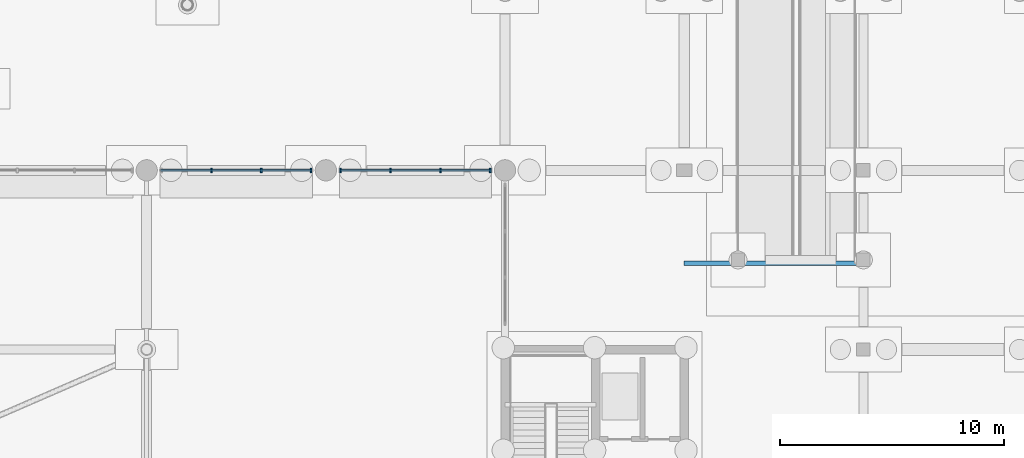
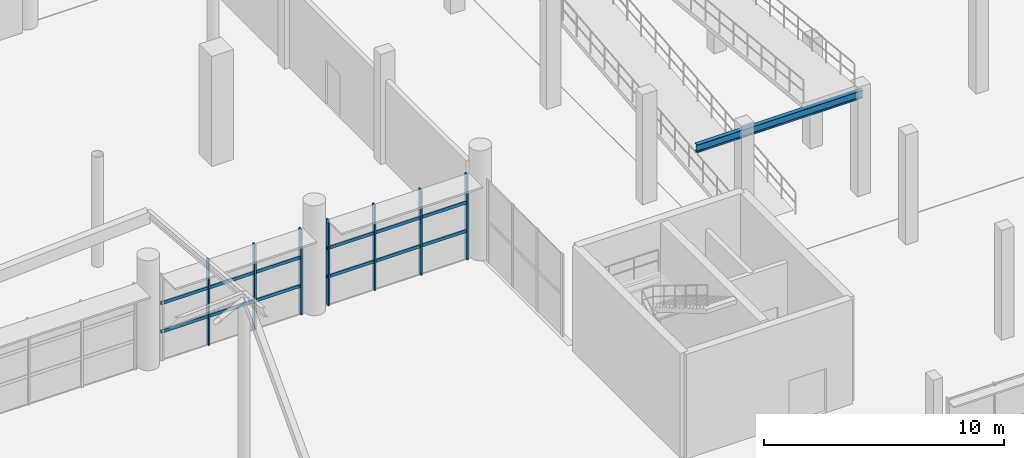
# One storey, part 48 of 98: 11 members, 1 beam, 2 elements without a shape of their own.
"""IFC4 building model written with IfcOpenShell, lengths in metres."""

from ifc_helpers import new_model, si_unit, derived_unit, direction, frame, origin, origin_2d, place, context, subcontext, project, spatial, rectangle, i_section, extrude, material, layer, layer_set, material_profile, profile_set, type_object, element, aggregate, save


model = new_model("IFC4")

# Units and contexts
model_context = context("Model", 3, precision=1e-05, world=origin(), true_north=direction((0.0, 1.0)))
body_context = subcontext(model_context, "Body", "Model", "MODEL_VIEW")
ifc_project = project(units=[si_unit("LENGTHUNIT", "METRE"), si_unit("AREAUNIT", "SQUARE_METRE"), si_unit("VOLUMEUNIT", "CUBIC_METRE"), si_unit("PLANEANGLEUNIT", "RADIAN"), si_unit("MASSUNIT", "GRAM", prefix="KILO"), si_unit("THERMODYNAMICTEMPERATUREUNIT", "KELVIN"), derived_unit("THERMALTRANSMITTANCEUNIT", [(si_unit("POWERUNIT", "WATT"), 1), (si_unit("AREAUNIT", "SQUARE_METRE"), -1), (si_unit("THERMODYNAMICTEMPERATUREUNIT", "KELVIN"), -1)])], contexts=[model_context])

# Site, building, storey
site_placement = place(None, origin())
site = spatial("IfcSite", under=ifc_project, at=site_placement, CompositionType="ELEMENT")
building_placement = place(site_placement, origin())
building = spatial("IfcBuilding", under=site, at=building_placement, Name="Haiyu Intermodal Mobility Hub", CompositionType="ELEMENT")
storey_placement = place(building_placement, origin())
storey = spatial("IfcBuildingStorey", under=building, at=storey_placement, Name="L00", CompositionType="ELEMENT", Elevation=0.0)

# Beam
ifc_material_1 = material(Name="Steel Q355C", Category="steel")
ifc_material_profile_1 = material_profile(ifc_material_1, i_section(OverallWidth=0.199951171875, OverallDepth=0.39990234375, WebThickness=0.008056640625, FlangeThickness=0.012939453125, FilletRadius=0.01611328125, at=origin_2d()), Name="HN400x200x8x13")
ifc_profile_set_1 = profile_set([ifc_material_profile_1], Name="Steel Q355C")
beam_type = type_object("IfcBeamType", Name="BM-SB08", PredefinedType="JOIST", material=ifc_profile_set_1)
beam_placement = place(storey_placement, frame((162.0, 35.85009765625, 5.135009765625), z_axis=(1.0, 0.0, 0.0), x_axis=(0.0, 1.0, 0.0)))
element("IfcBeam", 1, at=beam_placement, inside=storey, type_object=beam_type, Name="BM-BRMPT-L00", PredefinedType="JOIST", context=body_context, shape_type="SweptSolid", body=[
    extrude(i_section(OverallWidth=0.199951171875, OverallDepth=0.39990234375, WebThickness=0.008056640625, FlangeThickness=0.012939453125, FilletRadius=0.01611328125, at=origin_2d()), origin(), (0.0, 0.0, 1.0), 8.0),
])

# Curtain wall, members
ifc_material_2 = material(Name="Low-e laminated insulating glass", Category="glass")
ifc_layer = layer(ifc_material_2, 0.219970703125)
ifc_layer_set = layer_set([ifc_layer], Name="Low-e laminated insulating glass")
curtain_wall_type = type_object("IfcCurtainWallType", Name="CW-CW01", PredefinedType="NOTDEFINED", material=ifc_layer_set)
curtain_wall_1_placement = place(storey_placement, origin())
curtain_wall_1 = element("IfcCurtainWall", 2, at=curtain_wall_1_placement, inside=storey, type_object=curtain_wall_type, Name="Curtain Wall CW-V1S-L00-017", PredefinedType="NOTDEFINED")
ifc_material_3 = material(Name="Anodised aluminium 6063-T6", Category="aluminium")
ifc_material_profile_2 = material_profile(ifc_material_3, rectangle(XDim=0.074951171875, YDim=0.199951171875, at=origin_2d()), Name="ALU75x200")
ifc_profile_set_2 = profile_set([ifc_material_profile_2], Name="Anodised aluminium 6063-T6")
member_type_1 = type_object("IfcMemberType", Name="CWM-ML01", PredefinedType="MULLION", material=ifc_profile_set_2)
member_1_placement = place(storey_placement, frame((140.886962890625, 40.0, 0.0), z_axis=(0.0, 0.0, 1.0), x_axis=(1.0, 0.0, 0.0)))
member_1 = element("IfcMember", 3, at=member_1_placement, type_object=member_type_1, Name="CW-V1S-L00-017-ML02", PredefinedType="MULLION", context=body_context, shape_type="SweptSolid", body=[
    extrude(rectangle(XDim=0.074951171875, YDim=0.199951171875, at=origin_2d()), origin(), (0.0, 0.0, 1.0), 4.35009765625),
])
member_2_placement = place(storey_placement, frame((143.113037109375, 40.0, 0.0), z_axis=(0.0, 0.0, 1.0), x_axis=(1.0, 0.0, 0.0)))
member_2 = element("IfcMember", 4, at=member_2_placement, type_object=member_type_1, Name="CW-V1S-L00-017-ML03", PredefinedType="MULLION", context=body_context, shape_type="SweptSolid", body=[
    extrude(rectangle(XDim=0.074951171875, YDim=0.199951171875, at=origin_2d()), origin(), (0.0, 0.0, 1.0), 4.35009765625),
])
member_3_placement = place(storey_placement, frame((145.340087890625, 40.0, 0.0), z_axis=(0.0, 0.0, 1.0), x_axis=(1.0, 0.0, 0.0)))
member_3 = element("IfcMember", 5, at=member_3_placement, type_object=member_type_1, Name="CW-V1S-L00-017-ML04", PredefinedType="MULLION", context=body_context, shape_type="SweptSolid", body=[
    extrude(rectangle(XDim=0.074951171875, YDim=0.199951171875, at=origin_2d()), origin(), (0.0, 0.0, 1.0), 4.35009765625),
])

curtain_wall_2_placement = place(storey_placement, origin())
curtain_wall_2 = element("IfcCurtainWall", 6, at=curtain_wall_2_placement, inside=storey, type_object=curtain_wall_type, Name="Curtain Wall CW-V1S-L00-019", PredefinedType="NOTDEFINED")
member_4_placement = place(storey_placement, frame((146.659912109375, 40.0, 0.0), z_axis=(0.0, 0.0, 1.0), x_axis=(1.0, 0.0, 0.0)))
member_4 = element("IfcMember", 7, at=member_4_placement, type_object=member_type_1, Name="CW-V1S-L00-019-ML01", PredefinedType="MULLION", context=body_context, shape_type="SweptSolid", body=[
    extrude(rectangle(XDim=0.074951171875, YDim=0.199951171875, at=origin_2d()), origin(), (0.0, 0.0, 1.0), 4.35009765625),
])
member_5_placement = place(storey_placement, frame((148.886962890625, 40.0, 0.0), z_axis=(0.0, 0.0, 1.0), x_axis=(1.0, 0.0, 0.0)))
member_5 = element("IfcMember", 8, at=member_5_placement, type_object=member_type_1, Name="CW-V1S-L00-019-ML02", PredefinedType="MULLION", context=body_context, shape_type="SweptSolid", body=[
    extrude(rectangle(XDim=0.074951171875, YDim=0.199951171875, at=origin_2d()), origin(), (0.0, 0.0, 1.0), 4.35009765625),
])
member_6_placement = place(storey_placement, frame((151.113037109375, 40.0, 0.0), z_axis=(0.0, 0.0, 1.0), x_axis=(1.0, 0.0, 0.0)))
member_6 = element("IfcMember", 9, at=member_6_placement, type_object=member_type_1, Name="CW-V1S-L00-019-ML03", PredefinedType="MULLION", context=body_context, shape_type="SweptSolid", body=[
    extrude(rectangle(XDim=0.074951171875, YDim=0.199951171875, at=origin_2d()), origin(), (0.0, 0.0, 1.0), 4.35009765625),
])
member_7_placement = place(storey_placement, frame((153.340087890625, 40.0, 0.0), z_axis=(0.0, 0.0, 1.0), x_axis=(1.0, 0.0, 0.0)))
member_7 = element("IfcMember", 10, at=member_7_placement, type_object=member_type_1, Name="CW-V1S-L00-019-ML04", PredefinedType="MULLION", context=body_context, shape_type="SweptSolid", body=[
    extrude(rectangle(XDim=0.074951171875, YDim=0.199951171875, at=origin_2d()), origin(), (0.0, 0.0, 1.0), 4.35009765625),
])

# Member
ifc_material_profile_3 = material_profile(ifc_material_3, rectangle(XDim=0.074951171875, YDim=0.159912109375, at=origin_2d()), Name="ALU75x160")
ifc_profile_set_3 = profile_set([ifc_material_profile_3], Name="Anodised aluminium 6063-T6")
member_type_2 = type_object("IfcMemberType", Name="CWM-TR01", PredefinedType="USERDEFINED", material=ifc_profile_set_3)
member_8_placement = place(storey_placement, frame((138.6201171875, 40.0, 1.449951171875), z_axis=(1.0, 0.0, 0.0), x_axis=(0.0, 1.0, 0.0)))
member_8 = element("IfcMember", 11, at=member_8_placement, type_object=member_type_2, Name="CW-V1S-L00-017-TR01", ObjectType="TRANSOM", PredefinedType="USERDEFINED", context=body_context, shape_type="SweptSolid", body=[
    extrude(rectangle(XDim=0.074951171875, YDim=0.159912109375, at=origin_2d()), origin(), (0.0, 0.0, 1.0), 6.759765625),
])

member_9_placement = place(storey_placement, frame((138.6201171875, 40.0, 2.89990234375), z_axis=(1.0, 0.0, 0.0), x_axis=(0.0, 1.0, 0.0)))
member_9 = element("IfcMember", 12, at=member_9_placement, type_object=member_type_2, Name="CW-V1S-L00-017-TR02", ObjectType="TRANSOM", PredefinedType="USERDEFINED", context=body_context, shape_type="SweptSolid", body=[
    extrude(rectangle(XDim=0.074951171875, YDim=0.159912109375, at=origin_2d()), origin(), (0.0, 0.0, 1.0), 6.759765625),
])

aggregate(curtain_wall_1, [member_1, member_2, member_3, member_8, member_9])

member_10_placement = place(storey_placement, frame((146.6201171875, 40.0, 1.449951171875), z_axis=(1.0, 0.0, 0.0), x_axis=(0.0, 1.0, 0.0)))
member_10 = element("IfcMember", 13, at=member_10_placement, type_object=member_type_2, Name="CW-V1S-L00-019-TR01", ObjectType="TRANSOM", PredefinedType="USERDEFINED", context=body_context, shape_type="SweptSolid", body=[
    extrude(rectangle(XDim=0.074951171875, YDim=0.159912109375, at=origin_2d()), origin(), (0.0, 0.0, 1.0), 6.759765625),
])

member_11_placement = place(storey_placement, frame((146.6201171875, 40.0, 2.89990234375), z_axis=(1.0, 0.0, 0.0), x_axis=(0.0, 1.0, 0.0)))
member_11 = element("IfcMember", 14, at=member_11_placement, type_object=member_type_2, Name="CW-V1S-L00-019-TR02", ObjectType="TRANSOM", PredefinedType="USERDEFINED", context=body_context, shape_type="SweptSolid", body=[
    extrude(rectangle(XDim=0.074951171875, YDim=0.159912109375, at=origin_2d()), origin(), (0.0, 0.0, 1.0), 6.759765625),
])

aggregate(curtain_wall_2, [member_4, member_5, member_6, member_7, member_10, member_11])

save(model, "model.ifc")
